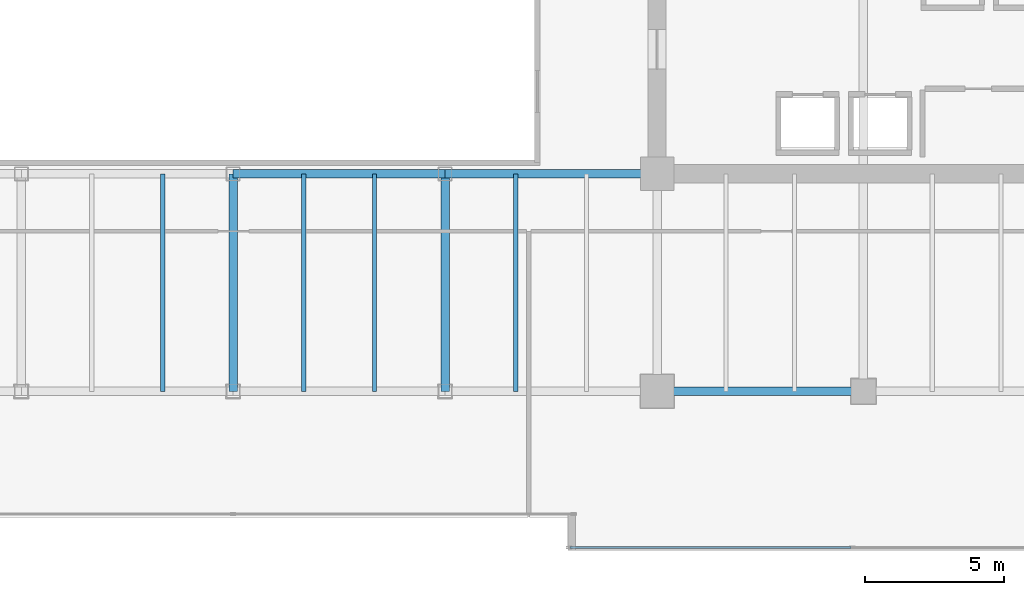
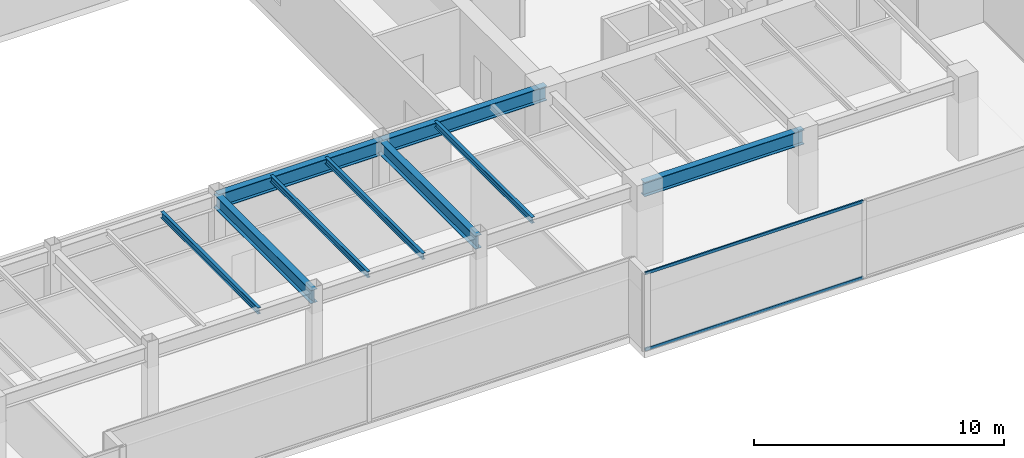
# One storey, part 11 of 33: 9 beams, 2 members, 1 element without a shape of its own.
"""IFC4 building model written with IfcOpenShell, lengths in metres."""

from ifc_helpers import new_model, si_unit, direction, frame, origin, origin_2d, place, context, subcontext, project, spatial, hollow_rectangle, i_section, extrude, source, transform, mapped, material, layer, layer_set, material_profile, profile_set, type_object, type_shapes, element, aggregate, save


model = new_model("IFC4")

# Units and contexts
model_context = context("Model", 3, precision=1e-05, world=origin(), true_north=direction((0.0, 1.0)))
body_context = subcontext(model_context, "Body", "Model", "MODEL_VIEW")
ifc_project = project(units=[si_unit("LENGTHUNIT", "METRE"), si_unit("AREAUNIT", "SQUARE_METRE"), si_unit("VOLUMEUNIT", "CUBIC_METRE"), si_unit("PLANEANGLEUNIT", "RADIAN"), si_unit("MASSUNIT", "GRAM", prefix="KILO")], contexts=[model_context])

# Site, building, storey
site_placement = place(None, origin())
site = spatial("IfcSite", under=ifc_project, at=site_placement, CompositionType="ELEMENT")
building_placement = place(site_placement, origin())
building = spatial("IfcBuilding", under=site, at=building_placement, Name="Haelvirn Gate Laboratories", CompositionType="ELEMENT")
storey_placement = place(building_placement, frame((0.0, 0.0, 133.800048828125)))
storey = spatial("IfcBuildingStorey", under=building, at=storey_placement, Name="L32", CompositionType="ELEMENT", Elevation=133.800048828125)

# Beams
ifc_material_1 = material(Name="Steel SM355", Category="steel")
ifc_material_profile_1 = material_profile(ifc_material_1, i_section(OverallWidth=0.300048828125, OverallDepth=0.64990234375, WebThickness=0.012939453125, FlangeThickness=0.02197265625, at=origin_2d()), Name="H-650x300x13x22")
ifc_profile_set_1 = profile_set([ifc_material_profile_1], Name="Steel SM355")
beam_type_1 = type_object("IfcBeamType", Name="BM-G-650", PredefinedType="BEAM", material=ifc_profile_set_1)
shared_shape_1 = source(origin(), body_context, "Body", "SweptSolid", [
    extrude(i_section(OverallWidth=0.300048828125, OverallDepth=0.64990234375, WebThickness=0.012939453125, FlangeThickness=0.02197265625, at=origin_2d()), origin(), (0.0, 0.0, 1.0), 7.800048828125),
])
type_shapes(beam_type_1, [shared_shape_1])
for number, where, z_axis, x_axis, name in (
    (1, (37.39990234375, 7.0, 3.46484375), (0.0, 1.0, 0.0), (-1.0, 0.0, 0.0), "L32 Frame Girder X37.4 (7.0-14.8)"),
    (2, (45.0, 7.0, 3.46484375), (0.0, 1.0, 0.0), (-1.0, 0.0, 0.0), "L32 Frame Girder X45.0 (7.0-14.8)"),
):
    element("IfcBeam", number, at=place(storey_placement, frame(where, z_axis=z_axis, x_axis=x_axis)), inside=storey, type_object=beam_type_1, Name=name, PredefinedType="BEAM", context=body_context, shape_type="MappedRepresentation", body=[
        mapped(shared_shape_1, transform((0.0, 0.0, 0.0), scale=1.0)),
    ])
ifc_material_profile_2 = material_profile(ifc_material_1, i_section(OverallWidth=0.300048828125, OverallDepth=0.699951171875, WebThickness=0.012939453125, FlangeThickness=0.02392578125, at=origin_2d()), Name="H-700x300x13x24")
ifc_profile_set_2 = profile_set([ifc_material_profile_2], Name="Steel SM355")
beam_type_2 = type_object("IfcBeamType", Name="BM-G-700", PredefinedType="BEAM", material=ifc_profile_set_2)
shared_shape_2 = source(origin(), body_context, "Body", "SweptSolid", [
    extrude(i_section(OverallWidth=0.300048828125, OverallDepth=0.699951171875, WebThickness=0.012939453125, FlangeThickness=0.02392578125, at=origin_2d()), origin(), (0.0, 0.0, 1.0), 7.39990234375),
])
beam_placement = place(storey_placement, frame((52.60009765625, 7.0, 3.43994140625), z_axis=(1.0, 0.0, 0.0), x_axis=(0.0, 1.0, 0.0)))
element("IfcBeam", 3, at=beam_placement, inside=storey, type_object=beam_type_2, Name="L32 Primary Girder Y7.0 (52.6-60.0)", PredefinedType="BEAM", context=body_context, shape_type="MappedRepresentation", body=[
    mapped(shared_shape_2, transform((0.0, 0.0, 0.0), scale=1.0)),
])
shared_shape_3 = source(origin(), body_context, "Body", "SweptSolid", [
    extrude(i_section(OverallWidth=0.300048828125, OverallDepth=0.699951171875, WebThickness=0.012939453125, FlangeThickness=0.02392578125, at=origin_2d()), origin(), (0.0, 0.0, 1.0), 7.60009765625),
])
type_shapes(beam_type_2, [shared_shape_2, shared_shape_3])
for number, where, z_axis, x_axis, name in (
    (4, (37.39990234375, 14.800048828125, 3.43994140625), (1.0, 0.0, 0.0), (0.0, 1.0, 0.0), "L32 Primary Girder Y14.8 (37.4-45.0)"),
    (5, (45.0, 14.800048828125, 3.43994140625), (1.0, 0.0, 0.0), (0.0, 1.0, 0.0), "L32 Primary Girder Y14.8 (45.0-52.6)"),
):
    element("IfcBeam", number, at=place(storey_placement, frame(where, z_axis=z_axis, x_axis=x_axis)), inside=storey, type_object=beam_type_2, Name=name, PredefinedType="BEAM", context=body_context, shape_type="MappedRepresentation", body=[
        mapped(shared_shape_3, transform((0.0, 0.0, 0.0), scale=1.0)),
    ])
ifc_material_profile_3 = material_profile(ifc_material_1, i_section(OverallWidth=0.14990234375, OverallDepth=0.300048828125, WebThickness=0.006591796875, FlangeThickness=0.009033203125, at=origin_2d()), Name="H-300x150x6.5x9")
ifc_profile_set_3 = profile_set([ifc_material_profile_3], Name="Steel SM355")
beam_type_3 = type_object("IfcBeamType", Name="BM-J-300", PredefinedType="JOIST", material=ifc_profile_set_3)
shared_shape_4 = source(origin(), body_context, "Body", "SweptSolid", [
    extrude(i_section(OverallWidth=0.14990234375, OverallDepth=0.300048828125, WebThickness=0.006591796875, FlangeThickness=0.009033203125, at=origin_2d()), origin(), (0.0, 0.0, 1.0), 7.800048828125),
])
type_shapes(beam_type_3, [shared_shape_4])
for number, where, z_axis, x_axis, name in (
    (6, (34.8701171875, 7.0, 3.639892578125), (0.0, 1.0, 0.0), (-1.0, 0.0, 0.0), "L32 Composite Lab Joist South X34.87"),
    (7, (39.929931640625, 7.0, 3.639892578125), (0.0, 1.0, 0.0), (-1.0, 0.0, 0.0), "L32 Composite Lab Joist South X39.93"),
    (8, (42.469970703125, 7.0, 3.639892578125), (0.0, 1.0, 0.0), (-1.0, 0.0, 0.0), "L32 Composite Lab Joist South X42.47"),
    (9, (47.530029296875, 7.0, 3.639892578125), (0.0, 1.0, 0.0), (-1.0, 0.0, 0.0), "L32 Composite Lab Joist South X47.53"),
):
    element("IfcBeam", number, at=place(storey_placement, frame(where, z_axis=z_axis, x_axis=x_axis)), inside=storey, type_object=beam_type_3, Name=name, PredefinedType="JOIST", context=body_context, shape_type="MappedRepresentation", body=[
        mapped(shared_shape_4, transform((0.0, 0.0, 0.0), scale=1.0)),
    ])

# Curtain wall, members
ifc_material_2 = material(Name="Anodised bronze unitised aluminium & triple low-E glass", Category="aluminium")
ifc_layer = layer(ifc_material_2, 0.179931640625, Name="CW-SYS-3")
ifc_layer_set = layer_set([ifc_layer], Name="Anodised bronze unitised aluminium & triple low-E glass")
curtain_wall_type = type_object("IfcCurtainWallType", Name="CW-SYS-3", PredefinedType="NOTDEFINED", material=ifc_layer_set)
curtain_wall_placement = place(storey_placement, origin())
curtain_wall = element("IfcCurtainWall", 10, at=curtain_wall_placement, inside=storey, type_object=curtain_wall_type, Name="L32 Unitised Curtain Wall CW-L32-P0-E04-1", PredefinedType="NOTDEFINED")
ifc_material_3 = material(Name="Extruded aluminium 6063-T6 (anodised bronze)", Category="aluminium")
ifc_material_profile_4 = material_profile(ifc_material_3, hollow_rectangle(XDim=0.06494140625, YDim=0.139892578125, WallThickness=0.00390625, at=origin_2d()), Name="CWT-140x65x4")
ifc_profile_set_4 = profile_set([ifc_material_profile_4], Name="Extruded aluminium 6063-T6 (anodised bronze)")
member_type = type_object("IfcMemberType", Name="CWT-T140", PredefinedType="USERDEFINED", material=ifc_profile_set_4)
shared_shape_5 = source(origin(), body_context, "Body", "SweptSolid", [
    extrude(hollow_rectangle(XDim=0.06494140625, YDim=0.139892578125, WallThickness=0.00390625, at=origin_2d()), origin(), (0.0, 0.0, 1.0), 10.08740234375),
])
type_shapes(member_type, [shared_shape_5])
member_1_placement = place(storey_placement, frame((49.47509765625, 1.39990234375, 0.032470703125), z_axis=(1.0, 0.0, 0.0), x_axis=(0.0, 1.0, 0.0)))
member_1 = element("IfcMember", 11, at=member_1_placement, type_object=member_type, Name="CW3 transom 1.1", ObjectType="TRANSOM", PredefinedType="USERDEFINED", context=body_context, shape_type="MappedRepresentation", body=[
    mapped(shared_shape_5, transform((0.0, 0.0, 0.0), scale=1.0)),
])
member_2_placement = place(storey_placement, frame((49.47509765625, 1.39990234375, 3.757568359375), z_axis=(1.0, 0.0, 0.0), x_axis=(0.0, 1.0, 0.0)))
member_2 = element("IfcMember", 12, at=member_2_placement, type_object=member_type, Name="CW3 transom 1.2", ObjectType="TRANSOM", PredefinedType="USERDEFINED", context=body_context, shape_type="MappedRepresentation", body=[
    mapped(shared_shape_5, transform((0.0, 0.0, 0.0), scale=1.0)),
])
aggregate(curtain_wall, [member_1, member_2])

save(model, "model.ifc")
